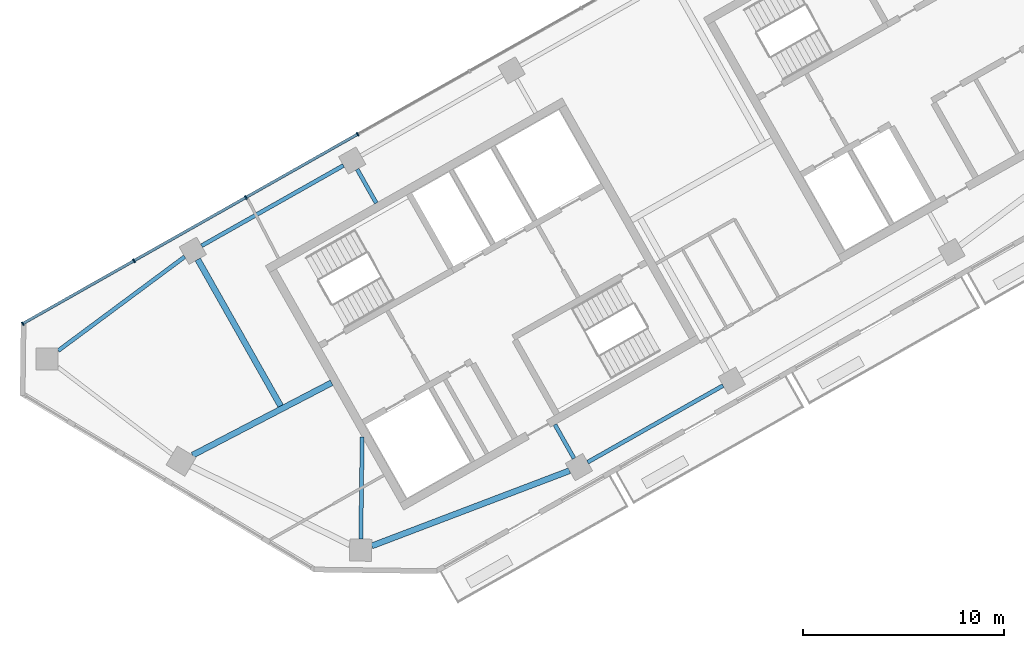
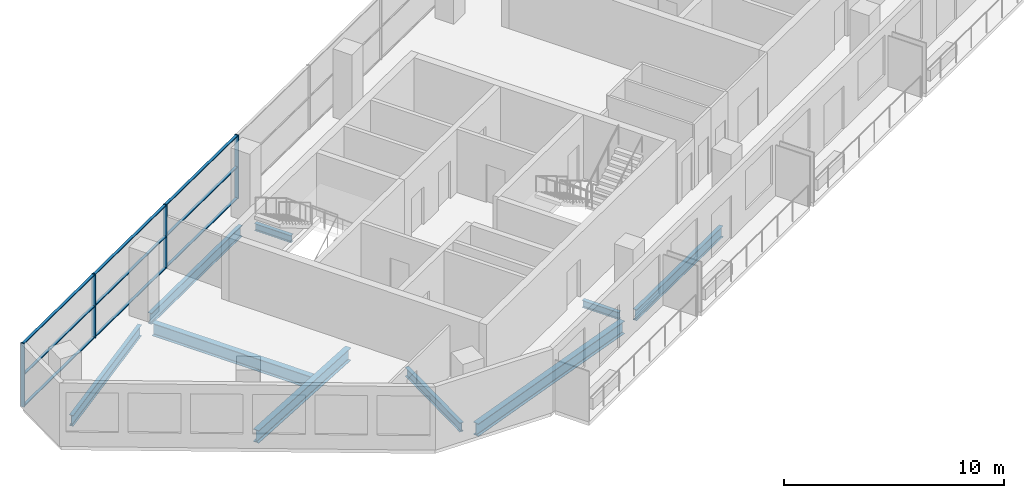
# One storey, part 2 of 10: 13 members, 9 beams, 1 element without a shape of its own.
"""IFC4 building model written with IfcOpenShell, lengths in metres."""

import ifcopenshell
import ifcopenshell.guid

model = None  # the IFC model being written
_history = None  # IfcOwnerHistory: only IFC2X3 demands one
_inside = {}  # id of a spatial element -> (the spatial element, [elements in it])
_under = {}  # id of a project, library or spatial element -> (it, [spatial elements below it])
_declared = {}  # id of a project -> (the project, [libraries it declares])
_typed = {}  # id of a type object -> (the type object, [elements of that type])
_made_of = {}  # id of a material, layer set ... -> (it, [elements and type objects made of it])


def new_model(schema):
    """Start an empty IFC model of exactly this schema.

    Asked for "IFC4X3", IfcOpenShell would pick the latest addendum, in which some entities
    have other attributes; the version numbers below select the first issue.
    IFC2X3 requires an IfcOwnerHistory on every rooted entity: one is made here for all.
    """
    global model, _history
    if schema == "IFC4X3":
        model = ifcopenshell.file(schema_version=(4, 3, 0, 0))
    else:
        model = ifcopenshell.file(schema=schema)
    _inside.clear()
    _under.clear()
    _declared.clear()
    _typed.clear()
    _made_of.clear()
    _history = None
    if model.schema == "IFC2X3":
        org = make("IfcOrganization", Name="unknown")
        user = make(
            "IfcPersonAndOrganization",
            ThePerson=make("IfcPerson", FamilyName="unknown"),
            TheOrganization=org,
        )
        app = make(
            "IfcApplication",
            ApplicationDeveloper=org,
            Version="unknown",
            ApplicationFullName="unknown",
            ApplicationIdentifier="unknown",
        )
        _history = make(
            "IfcOwnerHistory",
            OwningUser=user,
            OwningApplication=app,
            ChangeAction="ADDED",
            CreationDate=0,
        )
    return model


def make(cls, **values):
    """One entity of the class cls with the attributes given. An attribute that is None is left unset."""
    return model.create_entity(
        cls, **{name: value for name, value in values.items() if value is not None}
    )


def rooted(cls, **values):
    """An entity with a GlobalId (a new one), such as an element, a storey or a relation."""
    return make(cls, GlobalId=ifcopenshell.guid.new(), OwnerHistory=_history, **values)


def si_unit(unit_type, name, prefix=None):
    """IfcSIUnit, for example si_unit("LENGTHUNIT", "METRE", prefix="MILLI")."""
    return make("IfcSIUnit", UnitType=unit_type, Prefix=prefix, Name=name)


def assignment(units):
    """IfcUnitAssignment: the units of a project."""
    return None if units is None else make("IfcUnitAssignment", Units=units)


def point(xyz):
    """IfcCartesianPoint."""
    return None if xyz is None else make("IfcCartesianPoint", Coordinates=xyz)


def direction(xyz):
    """IfcDirection."""
    return None if xyz is None else make("IfcDirection", DirectionRatios=xyz)


def frame(location, z_axis=None, x_axis=None):
    """IfcAxis2Placement3D, a coordinate frame: its origin and axes. An axis left out is left unset."""
    return make(
        "IfcAxis2Placement3D",
        Location=point(location),
        Axis=direction(z_axis),
        RefDirection=direction(x_axis),
    )


def frame_2d(location, x_axis=None):
    """IfcAxis2Placement2D, a coordinate frame in the plane: its origin and x axis."""
    return make(
        "IfcAxis2Placement2D", Location=point(location), RefDirection=direction(x_axis)
    )


def origin():
    """The frame at (0, 0, 0) with its axes left unset."""
    return frame((0.0, 0.0, 0.0))


def origin_2d():
    """The frame at (0, 0) in the plane with its x axis left unset."""
    return frame_2d((0.0, 0.0))


def place(relative_to, where):
    """IfcLocalPlacement: puts the frame where relative to a parent placement (None: the world)."""
    return make(
        "IfcLocalPlacement", PlacementRelTo=relative_to, RelativePlacement=where
    )


def context(
    kind, dimensions, precision=None, world=None, true_north=None, identifier=None
):
    """IfcGeometricRepresentationContext, for example the 3D "Model" context."""
    return make(
        "IfcGeometricRepresentationContext",
        ContextIdentifier=identifier,
        ContextType=kind,
        CoordinateSpaceDimension=dimensions,
        Precision=precision,
        WorldCoordinateSystem=world,
        TrueNorth=true_north,
    )


def subcontext(parent, identifier, kind, view, scale=None):
    """IfcGeometricRepresentationSubContext, for example "Body" below "Model"."""
    return make(
        "IfcGeometricRepresentationSubContext",
        ContextIdentifier=identifier,
        ContextType=kind,
        ParentContext=parent,
        TargetScale=scale,
        TargetView=view,
    )


def project(units=None, contexts=None):
    """IfcProject with its units and contexts."""
    return rooted(
        "IfcProject",
        Name="project",
        RepresentationContexts=contexts,
        UnitsInContext=assignment(units),
    )


def spatial(cls, under=None, at=None, **own):
    """A site, building, storey or space (cls), placed at a placement, below another one or the project."""
    s = rooted(cls, ObjectPlacement=at, **own)
    if under is not None:
        _under.setdefault(under.id(), (under, []))[1].append(s)
    return s


def profile(cls, at=None, kind="AREA", **sizes):
    """A parametric profile (cls). Its sizes go by their IFC names, for example OverallWidth=200.0."""
    return make(cls, ProfileType=kind, Position=at, **sizes)


def rectangle(**sizes):
    """IfcRectangleProfileDef."""
    return profile("IfcRectangleProfileDef", **sizes)


def i_section(**sizes):
    """IfcIShapeProfileDef."""
    return profile("IfcIShapeProfileDef", **sizes)


def extrude(swept, where, along, depth):
    """IfcExtrudedAreaSolid: the profile swept, set in the frame where, extruded along a direction by depth."""
    return make(
        "IfcExtrudedAreaSolid",
        SweptArea=swept,
        Position=where,
        ExtrudedDirection=direction(along),
        Depth=depth,
    )


def shape(context_of_items, identifier, shape_type, items):
    """IfcShapeRepresentation: the items that make up one representation, for example the "Body"."""
    return make(
        "IfcShapeRepresentation",
        ContextOfItems=context_of_items,
        RepresentationIdentifier=identifier,
        RepresentationType=shape_type,
        Items=items,
    )


def material(Name=None, Category=None):
    """IfcMaterial."""
    return make("IfcMaterial", Name=Name, Category=Category)


def material_profile(
    of_material, cross_section, Name=None, Category=None, Priority=None
):
    """IfcMaterialProfile: a cross section and its material."""
    return make(
        "IfcMaterialProfile",
        Name=Name,
        Material=of_material,
        Profile=cross_section,
        Priority=Priority,
        Category=Category,
    )


def profile_set(profiles, Name=None, composite=None):
    """IfcMaterialProfileSet."""
    return make(
        "IfcMaterialProfileSet",
        Name=Name,
        MaterialProfiles=profiles,
        CompositeProfile=composite,
    )


def made_of(thing, what):
    """Note that an element or type object is made of a material, layer set ...; save() writes the relation."""
    if what is not None:
        _made_of.setdefault(what.id(), (what, []))[1].append(thing)
    return thing


def type_object(cls, material=None, **own):
    """A type object (cls), such as IfcWallType, which elements share."""
    return made_of(rooted(cls, **own), material)


def element(
    cls,
    number,
    at=None,
    inside=None,
    cuts=None,
    type_object=None,
    material=None,
    context=None,
    identifier="Body",
    shape_type=None,
    held_by="IfcProductDefinitionShape",
    body=None,
    shapes=None,
    **own,
):
    """One element of the class cls, such as IfcWall. Its Tag is "e" and its number.

    at: its placement. inside: the storey or other place that contains it. cuts: it is an
    opening in that element (IfcRelVoidsElement). A single representation is given by context,
    identifier, shape_type and body (its items); several are given by shapes. held_by: the class
    of the entity that holds the representations. save() writes the other relations.
    """
    e = rooted(cls, Tag="e%d" % number, ObjectPlacement=at, **own)
    if body is not None:
        shapes = [shape(context, identifier, shape_type, body)]
    if shapes is not None:
        e.Representation = make(held_by, Representations=shapes)
    if inside is not None:
        _inside.setdefault(inside.id(), (inside, []))[1].append(e)
    if cuts is not None:
        rooted(
            "IfcRelVoidsElement", RelatingBuildingElement=cuts, RelatedOpeningElement=e
        )
    if type_object is not None:
        _typed.setdefault(type_object.id(), (type_object, []))[1].append(e)
    return made_of(e, material)


def aggregate(whole, parts):
    """IfcRelAggregates: a whole, such as a stair, and the parts it consists of."""
    return rooted("IfcRelAggregates", RelatingObject=whole, RelatedObjects=parts)


def save(model, path):
    """Write the relations noted so far, then the file.

    IfcRelAggregates (storeys below a building ...), IfcRelContainedInSpatialStructure (elements
    in a storey), IfcRelDefinesByType, IfcRelAssociatesMaterial and IfcRelDeclares: one each for
    every whole, place, type object, material and project.
    """
    for whole, parts in _under.values():
        aggregate(whole, parts)
    for where, things in _inside.values():
        rooted(
            "IfcRelContainedInSpatialStructure",
            RelatedElements=things,
            RelatingStructure=where,
        )
    for kind, things in _typed.values():
        rooted("IfcRelDefinesByType", RelatedObjects=things, RelatingType=kind)
    for what, things in _made_of.values():
        rooted("IfcRelAssociatesMaterial", RelatedObjects=things, RelatingMaterial=what)
    for by, libraries in _declared.values():
        rooted("IfcRelDeclares", RelatingContext=by, RelatedDefinitions=libraries)
    model.write(path)


model = new_model("IFC4")

# Units and contexts
model_context = context("Model", 3, precision=1e-05, world=origin(), true_north=direction((0.0, 1.0)))
body_context = subcontext(model_context, "Body", "Model", "MODEL_VIEW")
ifc_project = project(units=[si_unit("LENGTHUNIT", "METRE"), si_unit("AREAUNIT", "SQUARE_METRE"), si_unit("VOLUMEUNIT", "CUBIC_METRE"), si_unit("PLANEANGLEUNIT", "RADIAN"), si_unit("MASSUNIT", "GRAM", prefix="KILO")], contexts=[model_context])

# Site, building, storey
site_placement = place(None, origin())
site = spatial("IfcSite", under=ifc_project, at=site_placement, CompositionType="ELEMENT")
building_placement = place(site_placement, origin())
building = spatial("IfcBuilding", under=site, at=building_placement, Name="Binnacle Exchange Tower", CompositionType="ELEMENT")
storey_placement = place(building_placement, frame((0.0, 0.0, 320.300048828125)))
storey = spatial("IfcBuildingStorey", under=building, at=storey_placement, Name="L72", CompositionType="ELEMENT", Elevation=320.300048828125)

# Curtain wall, members
ifc_material_1 = material(Name="Bronze anodised aluminium frame", Category="aluminium")
curtain_wall_type = type_object("IfcCurtainWallType", Name="External wall - curtain wall executive floors", PredefinedType="NOTDEFINED", material=ifc_material_1)
curtain_wall_placement = place(storey_placement, origin())
curtain_wall = element("IfcCurtainWall", 1, at=curtain_wall_placement, inside=storey, type_object=curtain_wall_type, Name="External wall curtain wall CW4-H03 L72", PredefinedType="NOTDEFINED")
ifc_material_profile_1 = material_profile(ifc_material_1, rectangle(XDim=0.199951171875, YDim=0.070068359375, at=origin_2d()), Name="AL 70x200")
ifc_profile_set_1 = profile_set([ifc_material_profile_1], Name="Bronze anodised aluminium frame")
member_type_1 = type_object("IfcMemberType", Name="CW4 MULLION 70x200", PredefinedType="MULLION", material=ifc_profile_set_1)
member_1_placement = place(storey_placement, frame((-42.0078125, 48.233154296875, 0.0), z_axis=(0.0, 0.0, 1.0), x_axis=(0.492423763019, -0.870355581136, 0.0)))
member_1 = element("IfcMember", 2, at=member_1_placement, type_object=member_type_1, Name="CW4-H03 mullion 8", PredefinedType="MULLION", context=body_context, shape_type="SweptSolid", body=[
    extrude(rectangle(XDim=0.199951171875, YDim=0.070068359375, at=origin_2d()), origin(), (0.0, 0.0, 1.0), 3.52001953125),
])
member_2_placement = place(storey_placement, frame((-47.58251953125, 45.0791015625, 0.0), z_axis=(0.0, 0.0, 1.0), x_axis=(0.492423763019, -0.870355581136, 0.0)))
member_2 = element("IfcMember", 3, at=member_2_placement, type_object=member_type_1, Name="CW4-H03 mullion 9", PredefinedType="MULLION", context=body_context, shape_type="SweptSolid", body=[
    extrude(rectangle(XDim=0.199951171875, YDim=0.070068359375, at=origin_2d()), origin(), (0.0, 0.0, 1.0), 3.52001953125),
])
member_3_placement = place(storey_placement, frame((-53.157470703125, 41.9248046875, 0.0), z_axis=(0.0, 0.0, 1.0), x_axis=(0.492423763019, -0.870355581136, 0.0)))
member_3 = element("IfcMember", 4, at=member_3_placement, type_object=member_type_1, Name="CW4-H03 mullion 10", PredefinedType="MULLION", context=body_context, shape_type="SweptSolid", body=[
    extrude(rectangle(XDim=0.199951171875, YDim=0.070068359375, at=origin_2d()), origin(), (0.0, 0.0, 1.0), 3.52001953125),
])
member_4_placement = place(storey_placement, frame((-58.701904296875, 38.7880859375, 0.0), z_axis=(0.0, 0.0, 1.0), x_axis=(0.492423763019, -0.870355581136, 0.0)))
member_4 = element("IfcMember", 5, at=member_4_placement, type_object=member_type_1, Name="CW4-H03 mullion 11", PredefinedType="MULLION", context=body_context, shape_type="SweptSolid", body=[
    extrude(rectangle(XDim=0.199951171875, YDim=0.070068359375, at=origin_2d()), origin(), (0.0, 0.0, 1.0), 3.52001953125),
])
ifc_material_profile_2 = material_profile(ifc_material_1, rectangle(XDim=0.139892578125, YDim=0.050048828125, at=origin_2d()), Name="AL 140x50")
ifc_profile_set_2 = profile_set([ifc_material_profile_2], Name="Bronze anodised aluminium frame")
member_type_2 = type_object("IfcMemberType", Name="CW4 TRANSOM 50x140", PredefinedType="USERDEFINED", material=ifc_profile_set_2)
member_5_placement = place(storey_placement, frame((-42.0380859375, 48.2158203125, 0.02490234375), z_axis=(-0.870355335808, -0.492424196633, 0.0), x_axis=(0.492424196633, -0.870355335808, 0.0)))
member_5 = element("IfcMember", 6, at=member_5_placement, type_object=member_type_2, Name="CW4-H03 transom 8.1", ObjectType="TRANSOM", PredefinedType="USERDEFINED", context=body_context, shape_type="SweptSolid", body=[
    extrude(rectangle(XDim=0.139892578125, YDim=0.050048828125, at=origin_2d()), origin(), (0.0, 0.0, 1.0), 6.335205078125),
])
member_6_placement = place(storey_placement, frame((-42.0380859375, 48.2158203125, 1.760009765625), z_axis=(-0.870355335808, -0.492424196633, 0.0), x_axis=(0.492424196633, -0.870355335808, 0.0)))
member_6 = element("IfcMember", 7, at=member_6_placement, type_object=member_type_2, Name="CW4-H03 transom 8.2", ObjectType="TRANSOM", PredefinedType="USERDEFINED", context=body_context, shape_type="SweptSolid", body=[
    extrude(rectangle(XDim=0.139892578125, YDim=0.050048828125, at=origin_2d()), origin(), (0.0, 0.0, 1.0), 6.335205078125),
])
member_7_placement = place(storey_placement, frame((-42.0380859375, 48.2158203125, 3.494873046875), z_axis=(-0.870355335808, -0.492424196633, 0.0), x_axis=(0.492424196633, -0.870355335808, 0.0)))
member_7 = element("IfcMember", 8, at=member_7_placement, type_object=member_type_2, Name="CW4-H03 transom 8.3", ObjectType="TRANSOM", PredefinedType="USERDEFINED", context=body_context, shape_type="SweptSolid", body=[
    extrude(rectangle(XDim=0.139892578125, YDim=0.050048828125, at=origin_2d()), origin(), (0.0, 0.0, 1.0), 6.335205078125),
])
member_8_placement = place(storey_placement, frame((-47.613037109375, 45.061767578125, 0.02490234375), z_axis=(-0.870355335808, -0.492424196633, 0.0), x_axis=(0.492424196633, -0.870355335808, 0.0)))
member_8 = element("IfcMember", 9, at=member_8_placement, type_object=member_type_2, Name="CW4-H03 transom 9.1", ObjectType="TRANSOM", PredefinedType="USERDEFINED", context=body_context, shape_type="SweptSolid", body=[
    extrude(rectangle(XDim=0.139892578125, YDim=0.050048828125, at=origin_2d()), origin(), (0.0, 0.0, 1.0), 6.335205078125),
])
member_9_placement = place(storey_placement, frame((-47.613037109375, 45.061767578125, 1.760009765625), z_axis=(-0.870355335808, -0.492424196633, 0.0), x_axis=(0.492424196633, -0.870355335808, 0.0)))
member_9 = element("IfcMember", 10, at=member_9_placement, type_object=member_type_2, Name="CW4-H03 transom 9.2", ObjectType="TRANSOM", PredefinedType="USERDEFINED", context=body_context, shape_type="SweptSolid", body=[
    extrude(rectangle(XDim=0.139892578125, YDim=0.050048828125, at=origin_2d()), origin(), (0.0, 0.0, 1.0), 6.335205078125),
])
member_10_placement = place(storey_placement, frame((-47.613037109375, 45.061767578125, 3.494873046875), z_axis=(-0.870355335808, -0.492424196633, 0.0), x_axis=(0.492424196633, -0.870355335808, 0.0)))
member_10 = element("IfcMember", 11, at=member_10_placement, type_object=member_type_2, Name="CW4-H03 transom 9.3", ObjectType="TRANSOM", PredefinedType="USERDEFINED", context=body_context, shape_type="SweptSolid", body=[
    extrude(rectangle(XDim=0.139892578125, YDim=0.050048828125, at=origin_2d()), origin(), (0.0, 0.0, 1.0), 6.335205078125),
])
member_11_placement = place(storey_placement, frame((-53.18798828125, 41.90771484375, 0.02490234375), z_axis=(-0.870343349272, -0.492445382126, 0.0), x_axis=(0.492445382126, -0.870343349272, 0.0)))
member_11 = element("IfcMember", 12, at=member_11_placement, type_object=member_type_2, Name="CW4-H03 transom 10.1", ObjectType="TRANSOM", PredefinedType="USERDEFINED", context=body_context, shape_type="SweptSolid", body=[
    extrude(rectangle(XDim=0.139892578125, YDim=0.050048828125, at=origin_2d()), origin(), (0.0, 0.0, 1.0), 6.30029296875),
])
member_12_placement = place(storey_placement, frame((-53.18798828125, 41.90771484375, 1.760009765625), z_axis=(-0.870343349272, -0.492445382126, 0.0), x_axis=(0.492445382126, -0.870343349272, 0.0)))
member_12 = element("IfcMember", 13, at=member_12_placement, type_object=member_type_2, Name="CW4-H03 transom 10.2", ObjectType="TRANSOM", PredefinedType="USERDEFINED", context=body_context, shape_type="SweptSolid", body=[
    extrude(rectangle(XDim=0.139892578125, YDim=0.050048828125, at=origin_2d()), origin(), (0.0, 0.0, 1.0), 6.30029296875),
])
member_13_placement = place(storey_placement, frame((-53.18798828125, 41.90771484375, 3.494873046875), z_axis=(-0.870343349272, -0.492445382126, 0.0), x_axis=(0.492445382126, -0.870343349272, 0.0)))
member_13 = element("IfcMember", 14, at=member_13_placement, type_object=member_type_2, Name="CW4-H03 transom 10.3", ObjectType="TRANSOM", PredefinedType="USERDEFINED", context=body_context, shape_type="SweptSolid", body=[
    extrude(rectangle(XDim=0.139892578125, YDim=0.050048828125, at=origin_2d()), origin(), (0.0, 0.0, 1.0), 6.30029296875),
])
aggregate(curtain_wall, [member_1, member_2, member_3, member_4, member_5, member_6, member_7, member_8, member_9, member_10, member_11, member_12, member_13])

# Beams
ifc_material_2 = material(Name="Steel S355 (SHN355)", Category="steel")
ifc_material_profile_3 = material_profile(ifc_material_2, i_section(OverallWidth=0.200927734375, OverallDepth=0.60595703125, WebThickness=0.011962890625, FlangeThickness=0.02001953125, FilletRadius=0.02197265625, at=origin_2d()), Name="H 606x201x12x20")
ifc_profile_set_3 = profile_set([ifc_material_profile_3], Name="Steel S355 (SHN355)")
beam_type_1 = type_object("IfcBeamType", Name="Edge girder H 606x201x12x20 Steel S355 (SHN355)", PredefinedType="SPANDREL", material=ifc_profile_set_3)
beam_1_placement = place(storey_placement, frame((-50.630615234375, 42.12255859375, -0.5830078125), z_axis=(-0.802881126557, -0.596139158769, 0.0), x_axis=(0.596139158769, -0.802881126557, 0.0)))
element("IfcBeam", 15, at=beam_1_placement, inside=storey, type_object=beam_type_1, Name="S:BM:edge:L72:005", PredefinedType="SPANDREL", context=body_context, shape_type="SweptSolid", body=[
    extrude(i_section(OverallWidth=0.200927734375, OverallDepth=0.60595703125, WebThickness=0.011962890625, FlangeThickness=0.02001953125, FilletRadius=0.02197265625, at=origin_2d()), origin(), (0.0, 0.0, 1.0), 7.855224609375),
])
beam_2_placement = place(storey_placement, frame((-30.540283203125, 31.881591796875, -0.5830078125), z_axis=(0.870358700717, 0.49241824914, 0.0), x_axis=(-0.49241824914, 0.870358700717, 0.0)))
element("IfcBeam", 16, at=beam_2_placement, inside=storey, type_object=beam_type_1, Name="S:BM:edge:L72:010", PredefinedType="SPANDREL", context=body_context, shape_type="SweptSolid", body=[
    extrude(i_section(OverallWidth=0.200927734375, OverallDepth=0.60595703125, WebThickness=0.011962890625, FlangeThickness=0.02001953125, FilletRadius=0.02197265625, at=origin_2d()), origin(), (0.0, 0.0, 1.0), 7.75439453125),
])
ifc_material_profile_4 = material_profile(ifc_material_2, i_section(OverallWidth=0.201904296875, OverallDepth=0.612060546875, WebThickness=0.012939453125, FlangeThickness=0.02294921875, FilletRadius=0.02197265625, at=origin_2d()), Name="H 612x202x13x23")
ifc_profile_set_4 = profile_set([ifc_material_profile_4], Name="Steel S355 (SHN355)")
beam_type_2 = type_object("IfcBeamType", Name="Edge girder H 612x202x13x23 Steel S355 (SHN355)", PredefinedType="SPANDREL", material=ifc_profile_set_4)
beam_3_placement = place(storey_placement, frame((-42.715087890625, 46.672607421875, -0.5859375), z_axis=(-0.870353024448, -0.49242828192, 0.0), x_axis=(0.49242828192, -0.870353024448, 0.0)))
element("IfcBeam", 17, at=beam_3_placement, inside=storey, type_object=beam_type_2, Name="S:BM:edge:L72:007", PredefinedType="SPANDREL", context=body_context, shape_type="SweptSolid", body=[
    extrude(i_section(OverallWidth=0.201904296875, OverallDepth=0.612060546875, WebThickness=0.012939453125, FlangeThickness=0.02294921875, FilletRadius=0.02197265625, at=origin_2d()), origin(), (0.0, 0.0, 1.0), 8.1298828125),
])
ifc_material_profile_5 = material_profile(ifc_material_2, i_section(OverallWidth=0.300048828125, OverallDepth=0.699951171875, WebThickness=0.012939453125, FlangeThickness=0.02392578125, FilletRadius=0.028076171875, at=origin_2d()), Name="H 700x300x13x24")
ifc_profile_set_5 = profile_set([ifc_material_profile_5], Name="Steel S355 (SHN355)")
beam_type_3 = type_object("IfcBeamType", Name="Edge girder H 700x300x13x24 Steel S355 (SHN355)", PredefinedType="SPANDREL", material=ifc_profile_set_5)
beam_4_placement = place(storey_placement, frame((-41.304931640625, 27.705078125, -0.630126953125), z_axis=(0.934635447744, 0.35560733938, 0.0), x_axis=(-0.35560733938, 0.934635447744, 0.0)))
element("IfcBeam", 18, at=beam_4_placement, inside=storey, type_object=beam_type_3, Name="S:BM:edge:L72:008", PredefinedType="SPANDREL", context=body_context, shape_type="SweptSolid", body=[
    extrude(i_section(OverallWidth=0.300048828125, OverallDepth=0.699951171875, WebThickness=0.012939453125, FlangeThickness=0.02392578125, FilletRadius=0.028076171875, at=origin_2d()), origin(), (0.0, 0.0, 1.0), 10.546142578125),
])
ifc_material_profile_6 = material_profile(ifc_material_2, i_section(OverallWidth=0.199951171875, OverallDepth=0.39990234375, WebThickness=0.008056640625, FlangeThickness=0.012939453125, FilletRadius=0.01611328125, at=origin_2d()), Name="H 400x200x8x13")
ifc_profile_set_6 = profile_set([ifc_material_profile_6], Name="Steel S355 (SHN355)")
beam_type_4 = type_object("IfcBeamType", Name="Floor beam H 400x200x8x13 Steel S355 (SHN355)", PredefinedType="BEAM", material=ifc_profile_set_6)
beam_5_placement = place(storey_placement, frame((-42.03369140625, 46.4833984375, -0.47998046875), z_axis=(0.492423244016, -0.870355874773, 0.0), x_axis=(0.870355874773, 0.492423244016, 0.0)))
element("IfcBeam", 19, at=beam_5_placement, inside=storey, type_object=beam_type_4, Name="S:BM:cross:L72:020", PredefinedType="BEAM", context=body_context, shape_type="SweptSolid", body=[
    extrude(i_section(OverallWidth=0.199951171875, OverallDepth=0.39990234375, WebThickness=0.008056640625, FlangeThickness=0.012939453125, FilletRadius=0.01611328125, at=origin_2d()), origin(), (0.0, 0.0, 1.0), 1.93408203125),
])
beam_6_placement = place(storey_placement, frame((-31.2216796875, 32.070556640625, -0.47998046875), z_axis=(-0.492518856771, 0.870301772792, 0.0), x_axis=(-0.870301772792, -0.492518856771, 0.0)))
element("IfcBeam", 20, at=beam_6_placement, inside=storey, type_object=beam_type_4, Name="S:BM:cross:L72:023", PredefinedType="BEAM", context=body_context, shape_type="SweptSolid", body=[
    extrude(i_section(OverallWidth=0.199951171875, OverallDepth=0.39990234375, WebThickness=0.008056640625, FlangeThickness=0.012939453125, FilletRadius=0.01611328125, at=origin_2d()), origin(), (0.0, 0.0, 1.0), 1.934326171875),
])
ifc_material_profile_7 = material_profile(ifc_material_2, i_section(OverallWidth=0.200927734375, OverallDepth=0.506103515625, WebThickness=0.010986328125, FlangeThickness=0.01904296875, FilletRadius=0.02001953125, at=origin_2d()), Name="H 506x201x11x19")
ifc_profile_set_7 = profile_set([ifc_material_profile_7], Name="Steel S355 (SHN355)")
beam_type_5 = type_object("IfcBeamType", Name="Floor beam H 506x201x11x19 Steel S355 (SHN355)", PredefinedType="BEAM", material=ifc_profile_set_7)
beam_7_placement = place(storey_placement, frame((-41.8505859375, 28.044921875, -0.532958984375), z_axis=(0.013115195493, 0.999913992125, 0.0), x_axis=(-0.999913992125, 0.013115195493, 0.0)))
element("IfcBeam", 21, at=beam_7_placement, inside=storey, type_object=beam_type_5, Name="S:BM:cross:L72:021", PredefinedType="BEAM", context=body_context, shape_type="SweptSolid", body=[
    extrude(i_section(OverallWidth=0.200927734375, OverallDepth=0.506103515625, WebThickness=0.010986328125, FlangeThickness=0.01904296875, FilletRadius=0.02001953125, at=origin_2d()), origin(), (0.0, 0.0, 1.0), 5.1005859375),
])
ifc_material_profile_8 = material_profile(ifc_material_2, i_section(OverallWidth=0.300048828125, OverallDepth=0.699951171875, WebThickness=0.012939453125, FlangeThickness=0.02392578125, FilletRadius=0.028076171875, at=origin_2d()), Name="H 700x300x13x24")
ifc_profile_set_8 = profile_set([ifc_material_profile_8], Name="Steel S355 (SHN355)")
beam_type_6 = type_object("IfcBeamType", Name="Floor beam H 700x300x13x24 Steel S355 (SHN355)", PredefinedType="BEAM", material=ifc_profile_set_8)
beam_8_placement = place(storey_placement, frame((-49.97998046875, 41.98779296875, -0.630126953125), z_axis=(0.492421517933, -0.870356851341, 0.0), x_axis=(0.870356851341, 0.492421517933, 0.0)))
element("IfcBeam", 22, at=beam_8_placement, inside=storey, type_object=beam_type_6, Name="S:BM:cross:L72:019", PredefinedType="BEAM", context=body_context, shape_type="SweptSolid", body=[
    extrude(i_section(OverallWidth=0.300048828125, OverallDepth=0.699951171875, WebThickness=0.012939453125, FlangeThickness=0.02392578125, FilletRadius=0.028076171875, at=origin_2d()), origin(), (0.0, 0.0, 1.0), 8.391357421875),
])
ifc_material_profile_9 = material_profile(ifc_material_2, i_section(OverallWidth=0.300048828125, OverallDepth=0.699951171875, WebThickness=0.012939453125, FlangeThickness=0.02392578125, FilletRadius=0.028076171875, at=origin_2d()), Name="H 700x300x13x24")
ifc_profile_set_9 = profile_set([ifc_material_profile_9], Name="Steel S355 (SHN355)")
beam_type_7 = type_object("IfcBeamType", Name="Spine girder H 700x300x13x24 Steel S355 (SHN355)", PredefinedType="BEAM", material=ifc_profile_set_9)
beam_9_placement = place(storey_placement, frame((-50.239990234375, 32.228759765625, -0.630126953125), z_axis=(0.886978864001, 0.461810020264, 0.0), x_axis=(-0.461810020264, 0.886978864001, 0.0)))
element("IfcBeam", 23, at=beam_9_placement, inside=storey, type_object=beam_type_7, Name="S:BM:spine:L72:001", PredefinedType="BEAM", context=body_context, shape_type="SweptSolid", body=[
    extrude(i_section(OverallWidth=0.300048828125, OverallDepth=0.699951171875, WebThickness=0.012939453125, FlangeThickness=0.02392578125, FilletRadius=0.028076171875, at=origin_2d()), origin(), (0.0, 0.0, 1.0), 7.815673828125),
])

save(model, "model.ifc")
